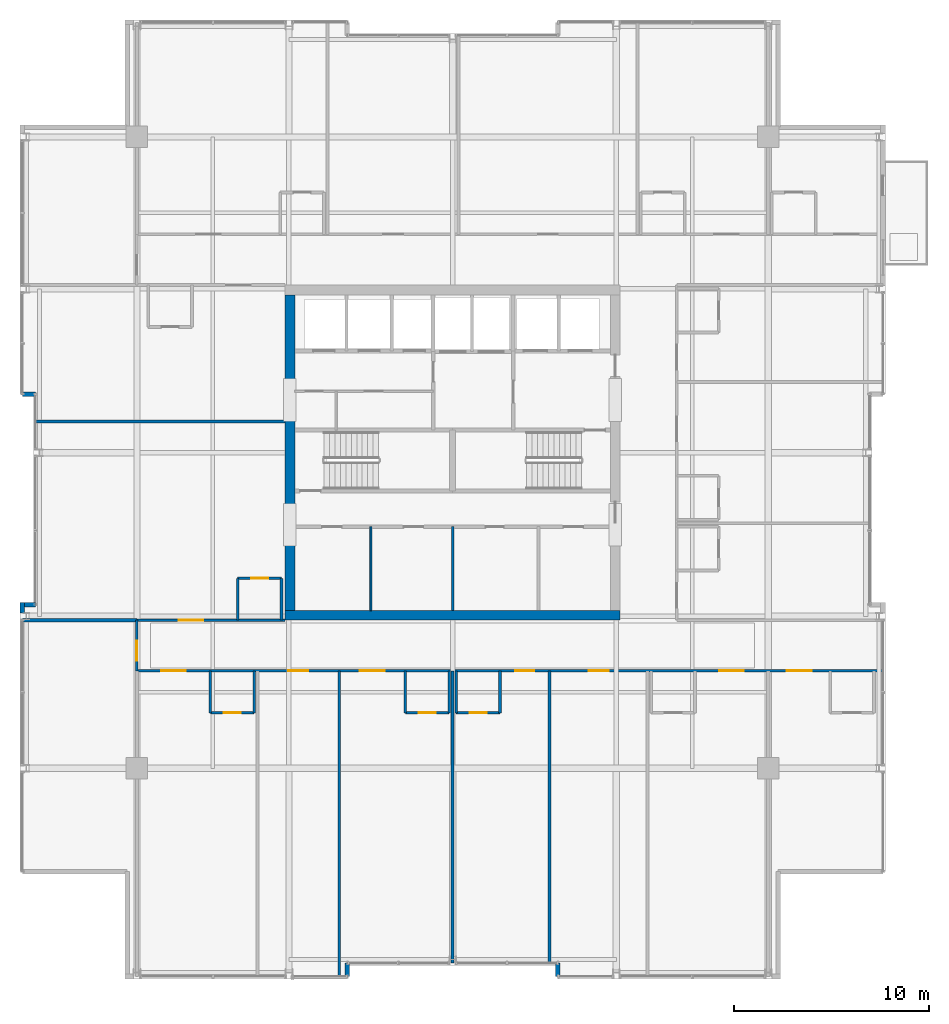
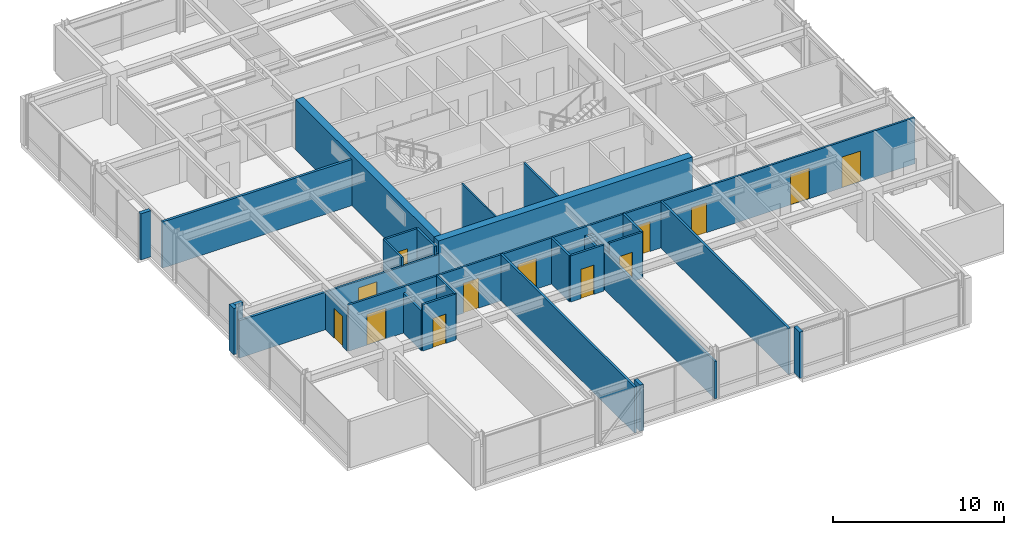
# One storey, part 28 of 34: 29 walls, 13 doors, 13 openings.
"""IFC4 building model written with IfcOpenShell, lengths in metres."""

from ifc_helpers import new_model, si_unit, direction, frame, frame_2d, origin, place, context, subcontext, project, spatial, rectangle, extrude, material, layer, layer_set, type_object, element, fill, save


model = new_model("IFC4")

# Units and contexts
model_context = context("Model", 3, precision=1e-05, world=origin(), true_north=direction((0.0, 1.0)))
body_context = subcontext(model_context, "Body", "Model", "MODEL_VIEW")
ifc_project = project(units=[si_unit("LENGTHUNIT", "METRE"), si_unit("AREAUNIT", "SQUARE_METRE"), si_unit("VOLUMEUNIT", "CUBIC_METRE"), si_unit("PLANEANGLEUNIT", "RADIAN"), si_unit("MASSUNIT", "GRAM", prefix="KILO")], contexts=[model_context])

# Site, building, storey
site_placement = place(None, origin())
site = spatial("IfcSite", under=ifc_project, at=site_placement, CompositionType="ELEMENT")
building_placement = place(site_placement, origin())
building = spatial("IfcBuilding", under=site, at=building_placement, Name="Drelvath Grand Hotel", CompositionType="ELEMENT")
storey_placement = place(building_placement, frame((0.0, 0.0, 251.89990234375)))
storey = spatial("IfcBuildingStorey", under=building, at=storey_placement, Name="L66", CompositionType="ELEMENT", Elevation=251.89990234375)

# Wall
ifc_material_1 = material(Name="Gypsum Partition Board")
ifc_layer_1 = layer(ifc_material_1, 0.10009765625)
ifc_layer_set_1 = layer_set([ifc_layer_1], Name="Gypsum Partition Board")
wall_type_1 = type_object("IfcWallType", Name="Core Closet Partition 100", PredefinedType="PARTITIONING", material=ifc_layer_set_1)
wall_1_placement = place(storey_placement, frame((-4.199951171875, 18.89990234375, 0.0), z_axis=(0.0, 0.0, 1.0), x_axis=(0.0, 1.0, 0.0)))
element("IfcWall", 1, at=wall_1_placement, inside=storey, type_object=wall_type_1, Name="L66 Upper Core Split 2A", PredefinedType="PARTITIONING", context=body_context, shape_type="SweptSolid", body=[
    extrude(rectangle(XDim=4.300048828125, YDim=0.10009765625, at=frame_2d((2.14990234375, 0.0))), origin(), (0.0, 0.0, 1.0), 3.300048828125),
])

# Wall, openings, doors
ifc_material_2 = material(Name="Gypsum Fireboard Partition")
ifc_layer_2 = layer(ifc_material_2, 0.135009765625)
ifc_layer_set_2 = layer_set([ifc_layer_2], Name="Gypsum Fireboard Partition")
wall_type_2 = type_object("IfcWallType", Name="Corridor Fire Barrier Wall 135", PredefinedType="PARTITIONING", material=ifc_layer_set_2)
wall_2_placement = place(storey_placement, frame((-16.199951171875, 15.800048828125, 0.0), z_axis=(0.0, 0.0, 1.0), x_axis=(1.0, 0.0, 0.0)))
wall_2 = element("IfcWall", 2, at=wall_2_placement, inside=storey, type_object=wall_type_2, Name="L66 South Cross-Gallery Wall", PredefinedType="PARTITIONING", context=body_context, shape_type="SweptSolid", body=[
    extrude(rectangle(XDim=38.280029296875, YDim=0.135009765625, at=frame_2d((19.14013671875, 0.0))), origin(), (0.0, 0.0, 1.0), 3.300048828125),
])
opening_1_placement = place(wall_2_placement, frame((33.35498046875, 0.0, 0.0)))
opening_1 = element("IfcOpeningElement", 3, at=opening_1_placement, cuts=wall_2, Name="Opening D-T4G5-023", PredefinedType="OPENING", context=body_context, shape_type="SweptSolid", body=[
    extrude(rectangle(XDim=1.260009765625, YDim=2.199951171875, at=frame_2d((0.6298828125, 1.10009765625))), frame((0.0, 0.077392578125, 0.0), z_axis=(0.0, -1.0, 0.0), x_axis=(1.0, 0.0, 0.0)), (0.0, 0.0, 1.0), 0.155029296875),
])
opening_2_placement = place(wall_2_placement, frame((1.252197265625, 0.0, 0.0)))
opening_2 = element("IfcOpeningElement", 4, at=opening_2_placement, cuts=wall_2, Name="Opening D-T4G5-027", PredefinedType="OPENING", context=body_context, shape_type="SweptSolid", body=[
    extrude(rectangle(XDim=1.260009765625, YDim=2.199951171875, at=frame_2d((0.6298828125, 1.10009765625))), frame((0.0, 0.077392578125, 0.0), z_axis=(0.0, -1.0, 0.0), x_axis=(1.0, 0.0, 0.0)), (0.0, 0.0, 1.0), 0.155029296875),
])
opening_3_placement = place(wall_2_placement, frame((7.777099609375, 0.0, 0.0)))
opening_3 = element("IfcOpeningElement", 5, at=opening_3_placement, cuts=wall_2, Name="Opening D-T4G5-028", PredefinedType="OPENING", context=body_context, shape_type="SweptSolid", body=[
    extrude(rectangle(XDim=1.02001953125, YDim=2.14990234375, at=frame_2d((0.510009765625, 1.074951171875))), frame((0.0, 0.077392578125, 0.0), z_axis=(0.0, -1.0, 0.0), x_axis=(1.0, 0.0, 0.0)), (0.0, 0.0, 1.0), 0.155029296875),
])
opening_4_placement = place(wall_2_placement, frame((11.445068359375, 0.0, 0.0)))
opening_4 = element("IfcOpeningElement", 6, at=opening_4_placement, cuts=wall_2, Name="Opening D-T4G5-030", PredefinedType="OPENING", context=body_context, shape_type="SweptSolid", body=[
    extrude(rectangle(XDim=1.260009765625, YDim=2.199951171875, at=frame_2d((0.6298828125, 1.10009765625))), frame((0.0, 0.077392578125, 0.0), z_axis=(0.0, -1.0, 0.0), x_axis=(1.0, 0.0, 0.0)), (0.0, 0.0, 1.0), 0.155029296875),
])
opening_5_placement = place(wall_2_placement, frame((19.425048828125, 0.0, 0.0)))
opening_5 = element("IfcOpeningElement", 7, at=opening_5_placement, cuts=wall_2, Name="Opening D-T4G5-032", PredefinedType="OPENING", context=body_context, shape_type="SweptSolid", body=[
    extrude(rectangle(XDim=0.9599609375, YDim=2.14990234375, at=frame_2d((0.47998046875, 1.074951171875))), frame((0.0, 0.077392578125, 0.0), z_axis=(0.0, -1.0, 0.0), x_axis=(1.0, 0.0, 0.0)), (0.0, 0.0, 1.0), 0.155029296875),
])
opening_6_placement = place(wall_2_placement, frame((23.18310546875, 0.0, 0.0)))
opening_6 = element("IfcOpeningElement", 8, at=opening_6_placement, cuts=wall_2, Name="Opening D-T4G5-033", PredefinedType="OPENING", context=body_context, shape_type="SweptSolid", body=[
    extrude(rectangle(XDim=1.02001953125, YDim=2.14990234375, at=frame_2d((0.510009765625, 1.074951171875))), frame((0.0, 0.077392578125, 0.0), z_axis=(0.0, -1.0, 0.0), x_axis=(1.0, 0.0, 0.0)), (0.0, 0.0, 1.0), 0.155029296875),
])
opening_7_placement = place(wall_2_placement, frame((29.887939453125, 0.0, 0.0)))
opening_7 = element("IfcOpeningElement", 9, at=opening_7_placement, cuts=wall_2, Name="Opening D-T4G5-035", PredefinedType="OPENING", context=body_context, shape_type="SweptSolid", body=[
    extrude(rectangle(XDim=1.260009765625, YDim=2.199951171875, at=frame_2d((0.6298828125, 1.10009765625))), frame((0.0, 0.077392578125, 0.0), z_axis=(0.0, -1.0, 0.0), x_axis=(1.0, 0.0, 0.0)), (0.0, 0.0, 1.0), 0.155029296875),
])
ifc_material_3 = material(Name="Hardwood Walnut Timber", Category="wood")
door_type_1 = type_object("IfcDoorType", Name="Amenity Meeting Fire Door 1020x2150", OperationType="NOTDEFINED", PredefinedType="DOOR", material=ifc_material_3)
door_1_placement = place(opening_3_placement, origin())
door_1 = element("IfcDoor", 10, at=door_1_placement, inside=storey, type_object=door_type_1, Name="L66 Ambassador Club Lounge Entry Door", OperationType="SINGLE_SWING_LEFT", OverallHeight=2.14990234375, OverallWidth=1.02001953125, PredefinedType="DOOR", context=body_context, shape_type="SweptSolid", body=[
    extrude(rectangle(XDim=1.02001953125, YDim=2.14990234375, at=frame_2d((0.510009765625, 1.074951171875))), frame((0.0, 0.02490234375, 0.0), z_axis=(0.0, -1.0, 0.0), x_axis=(1.0, 0.0, 0.0)), (0.0, 0.0, 1.0), 0.050048828125),
])
fill(opening_3, door_1)
door_2_placement = place(opening_6_placement, origin())
door_2 = element("IfcDoor", 11, at=door_2_placement, inside=storey, type_object=door_type_1, Name="L66 Private Security Office Entry Door", OperationType="SINGLE_SWING_RIGHT", OverallHeight=2.14990234375, OverallWidth=1.02001953125, PredefinedType="DOOR", context=body_context, shape_type="SweptSolid", body=[
    extrude(rectangle(XDim=1.02001953125, YDim=2.14990234375, at=frame_2d((0.510009765625, 1.074951171875))), frame((0.0, 0.02490234375, 0.0), z_axis=(0.0, -1.0, 0.0), x_axis=(1.0, 0.0, 0.0)), (0.0, 0.0, 1.0), 0.050048828125),
])
fill(opening_6, door_2)
door_type_2 = type_object("IfcDoorType", Name="Guestroom Entrance Fire Door 960x2150", OperationType="NOTDEFINED", PredefinedType="DOOR", material=ifc_material_3)
door_3_placement = place(opening_5_placement, origin())
door_3 = element("IfcDoor", 12, at=door_3_placement, inside=storey, type_object=door_type_2, Name="L66 Deluxe Guest Room Entry Door", OperationType="SINGLE_SWING_LEFT", OverallHeight=2.14990234375, OverallWidth=0.9599609375, PredefinedType="DOOR", context=body_context, shape_type="SweptSolid", body=[
    extrude(rectangle(XDim=0.9599609375, YDim=2.14990234375, at=frame_2d((0.47998046875, 1.074951171875))), frame((0.0, 0.02490234375, 0.0), z_axis=(0.0, -1.0, 0.0), x_axis=(1.0, 0.0, 0.0)), (0.0, 0.0, 1.0), 0.050048828125),
])
fill(opening_5, door_3)
door_type_3 = type_object("IfcDoorType", Name="Suite Entrance Fire Door 1260x2200", OperationType="NOTDEFINED", PredefinedType="DOOR", material=ifc_material_3)
door_4_placement = place(opening_1_placement, origin())
door_4 = element("IfcDoor", 13, at=door_4_placement, inside=storey, type_object=door_type_3, Name="L66 Diplomatic Suite Entry Door", OperationType="SINGLE_SWING_RIGHT", OverallHeight=2.199951171875, OverallWidth=1.260009765625, PredefinedType="DOOR", context=body_context, shape_type="SweptSolid", body=[
    extrude(rectangle(XDim=1.260009765625, YDim=2.199951171875, at=frame_2d((0.6298828125, 1.10009765625))), frame((0.0, 0.02490234375, 0.0), z_axis=(0.0, -1.0, 0.0), x_axis=(1.0, 0.0, 0.0)), (0.0, 0.0, 1.0), 0.050048828125),
])
fill(opening_1, door_4)
door_5_placement = place(opening_2_placement, origin())
door_5 = element("IfcDoor", 14, at=door_5_placement, inside=storey, type_object=door_type_3, Name="L66 Diplomatic Suite Entry Door", OperationType="SINGLE_SWING_RIGHT", OverallHeight=2.199951171875, OverallWidth=1.260009765625, PredefinedType="DOOR", context=body_context, shape_type="SweptSolid", body=[
    extrude(rectangle(XDim=1.260009765625, YDim=2.199951171875, at=frame_2d((0.6298828125, 1.10009765625))), frame((0.0, 0.02490234375, 0.0), z_axis=(0.0, -1.0, 0.0), x_axis=(1.0, 0.0, 0.0)), (0.0, 0.0, 1.0), 0.050048828125),
])
fill(opening_2, door_5)
door_6_placement = place(opening_4_placement, origin())
door_6 = element("IfcDoor", 15, at=door_6_placement, inside=storey, type_object=door_type_3, Name="L66 Diplomatic Suite Entry Door", OperationType="SINGLE_SWING_LEFT", OverallHeight=2.199951171875, OverallWidth=1.260009765625, PredefinedType="DOOR", context=body_context, shape_type="SweptSolid", body=[
    extrude(rectangle(XDim=1.260009765625, YDim=2.199951171875, at=frame_2d((0.6298828125, 1.10009765625))), frame((0.0, 0.02490234375, 0.0), z_axis=(0.0, -1.0, 0.0), x_axis=(1.0, 0.0, 0.0)), (0.0, 0.0, 1.0), 0.050048828125),
])
fill(opening_4, door_6)
door_7_placement = place(opening_7_placement, origin())
door_7 = element("IfcDoor", 16, at=door_7_placement, inside=storey, type_object=door_type_3, Name="L66 Diplomatic Suite Entry Door", OperationType="SINGLE_SWING_RIGHT", OverallHeight=2.199951171875, OverallWidth=1.260009765625, PredefinedType="DOOR", context=body_context, shape_type="SweptSolid", body=[
    extrude(rectangle(XDim=1.260009765625, YDim=2.199951171875, at=frame_2d((0.6298828125, 1.10009765625))), frame((0.0, 0.02490234375, 0.0), z_axis=(0.0, -1.0, 0.0), x_axis=(1.0, 0.0, 0.0)), (0.0, 0.0, 1.0), 0.050048828125),
])
fill(opening_7, door_7)

# Wall, opening, door
wall_3_placement = place(storey_placement, frame((-16.199951171875, 18.39990234375, 0.0), z_axis=(0.0, 0.0, 1.0), x_axis=(1.0, 0.0, 0.0)))
wall_3 = element("IfcWall", 17, at=wall_3_placement, inside=storey, type_object=wall_type_2, Name="L66 South Gallery Inner West Wall", PredefinedType="PARTITIONING", context=body_context, shape_type="SweptSolid", body=[
    extrude(rectangle(XDim=7.599853515625, YDim=0.135009765625, at=frame_2d((3.7998046875, 0.0))), origin(), (0.0, 0.0, 1.0), 2.677490234375),
])
opening_8_placement = place(wall_3_placement, frame((2.155029296875, 0.0, 0.0)))
opening_8 = element("IfcOpeningElement", 18, at=opening_8_placement, cuts=wall_3, Name="Opening D-T4G5-049", PredefinedType="OPENING", context=body_context, shape_type="SweptSolid", body=[
    extrude(rectangle(XDim=1.260009765625, YDim=2.199951171875, at=frame_2d((0.6298828125, 1.10009765625))), frame((0.0, 0.077392578125, 0.0), z_axis=(0.0, -1.0, 0.0), x_axis=(1.0, 0.0, 0.0)), (0.0, 0.0, 1.0), 0.155029296875),
])
door_8_placement = place(opening_8_placement, origin())
door_8 = element("IfcDoor", 19, at=door_8_placement, inside=storey, type_object=door_type_3, Name="L66 Diplomatic Suite Entry Door", OperationType="SINGLE_SWING_RIGHT", OverallHeight=2.199951171875, OverallWidth=1.260009765625, PredefinedType="DOOR", context=body_context, shape_type="SweptSolid", body=[
    extrude(rectangle(XDim=1.260009765625, YDim=2.199951171875, at=frame_2d((0.6298828125, 1.10009765625))), frame((0.0, 0.02490234375, 0.0), z_axis=(0.0, -1.0, 0.0), x_axis=(1.0, 0.0, 0.0)), (0.0, 0.0, 1.0), 0.050048828125),
])
fill(opening_8, door_8)

wall_4_placement = place(storey_placement, frame((-16.199951171875, 15.800048828125, 0.0), z_axis=(0.0, 0.0, 1.0), x_axis=(0.0, 1.0, 0.0)))
wall_4 = element("IfcWall", 20, at=wall_4_placement, inside=storey, type_object=wall_type_2, Name="L66 South Gallery West End", PredefinedType="PARTITIONING", context=body_context, shape_type="SweptSolid", body=[
    extrude(rectangle(XDim=2.599853515625, YDim=0.135009765625, at=frame_2d((1.2998046875, 0.0))), origin(), (0.0, 0.0, 1.0), 2.673828125),
])
opening_9_placement = place(wall_4_placement, frame((0.52001953125, 0.0, 0.0)))
opening_9 = element("IfcOpeningElement", 21, at=opening_9_placement, cuts=wall_4, Name="Opening D-T4G5-020", PredefinedType="OPENING", context=body_context, shape_type="SweptSolid", body=[
    extrude(rectangle(XDim=1.02001953125, YDim=2.14990234375, at=frame_2d((0.510009765625, 1.074951171875))), frame((0.0, 0.077392578125, 0.0), z_axis=(0.0, -1.0, 0.0), x_axis=(1.0, 0.0, 0.0)), (0.0, 0.0, 1.0), 0.155029296875),
])
door_9_placement = place(opening_9_placement, origin())
door_9 = element("IfcDoor", 22, at=door_9_placement, inside=storey, type_object=door_type_1, Name="L66 Corner Panorama Lounge Door", OperationType="SINGLE_SWING_LEFT", OverallHeight=2.14990234375, OverallWidth=1.02001953125, PredefinedType="DOOR", context=body_context, shape_type="SweptSolid", body=[
    extrude(rectangle(XDim=1.02001953125, YDim=2.14990234375, at=frame_2d((0.510009765625, 1.074951171875))), frame((0.0, 0.02490234375, 0.0), z_axis=(0.0, -1.0, 0.0), x_axis=(1.0, 0.0, 0.0)), (0.0, 0.0, 1.0), 0.050048828125),
])
fill(opening_9, door_9)

# Walls
ifc_material_4 = material(Name="Moisture-Resistant Gypsum Board")
ifc_layer_3 = layer(ifc_material_4, 0.139892578125)
ifc_layer_set_3 = layer_set([ifc_layer_3], Name="Moisture-Resistant Gypsum Board")
wall_type_3 = type_object("IfcWallType", Name="En-Suite Plumbing Wall 140", PredefinedType="PLUMBINGWALL", material=ifc_layer_set_3)
wall_5_placement = place(storey_placement, frame((0.0, 18.89990234375, 0.0), z_axis=(0.0, 0.0, 1.0), x_axis=(0.0, 1.0, 0.0)))
element("IfcWall", 23, at=wall_5_placement, inside=storey, type_object=wall_type_3, Name="L66 Upper Core Split 2B", PredefinedType="PLUMBINGWALL", context=body_context, shape_type="SweptSolid", body=[
    extrude(rectangle(XDim=4.300048828125, YDim=0.139892578125, at=frame_2d((2.14990234375, 0.0))), origin(), (0.0, 0.0, 1.0), 3.300048828125),
])
wall_6_placement = place(storey_placement, frame((-12.435791015625, 15.800048828125, 0.0), z_axis=(0.0, 0.0, 1.0), x_axis=(0.0, -1.0, 0.0)))
element("IfcWall", 24, at=wall_6_placement, inside=storey, type_object=wall_type_3, Name="L66 En-Suite Left Wall", PredefinedType="PLUMBINGWALL", context=body_context, shape_type="SweptSolid", body=[
    extrude(rectangle(XDim=2.150146484375, YDim=0.139892578125, at=frame_2d((1.0751953125, 0.0))), origin(), (0.0, 0.0, 1.0), 2.87841796875),
])
wall_7_placement = place(storey_placement, frame((-10.185791015625, 15.800048828125, 0.0), z_axis=(0.0, 0.0, 1.0), x_axis=(0.0, -1.0, 0.0)))
element("IfcWall", 25, at=wall_7_placement, inside=storey, type_object=wall_type_3, Name="L66 En-Suite Right Wall", PredefinedType="PLUMBINGWALL", context=body_context, shape_type="SweptSolid", body=[
    extrude(rectangle(XDim=2.150146484375, YDim=0.139892578125, at=frame_2d((1.0751953125, 0.0))), origin(), (0.0, 0.0, 1.0), 3.300048828125),
])

# Wall, opening, door
wall_8_placement = place(storey_placement, frame((-12.435791015625, 13.64990234375, 0.0), z_axis=(0.0, 0.0, 1.0), x_axis=(1.0, 0.0, 0.0)))
wall_8 = element("IfcWall", 26, at=wall_8_placement, inside=storey, type_object=wall_type_3, Name="L66 En-Suite Front Wall", PredefinedType="PLUMBINGWALL", context=body_context, shape_type="SweptSolid", body=[
    extrude(rectangle(XDim=2.25, YDim=0.139892578125, at=frame_2d((1.125, 0.0))), origin(), (0.0, 0.0, 1.0), 3.300048828125),
])
opening_10_placement = place(wall_8_placement, frame((0.68505859375, 0.0, 0.0)))
opening_10 = element("IfcOpeningElement", 27, at=opening_10_placement, cuts=wall_8, Name="Opening D-T4G5-026", PredefinedType="OPENING", context=body_context, shape_type="SweptSolid", body=[
    extrude(rectangle(XDim=0.8798828125, YDim=2.10009765625, at=frame_2d((0.43994140625, 1.050048828125))), frame((0.0, 0.079833984375, 0.0), z_axis=(0.0, -1.0, 0.0), x_axis=(1.0, 0.0, 0.0)), (0.0, 0.0, 1.0), 0.159912109375),
])
door_type_4 = type_object("IfcDoorType", Name="En-Suite Bathroom Door 880x2100", OperationType="NOTDEFINED", PredefinedType="DOOR", material=ifc_material_3)
door_10_placement = place(opening_10_placement, origin())
door_10 = element("IfcDoor", 28, at=door_10_placement, inside=storey, type_object=door_type_4, Name="L66 En-Suite Bathroom Door", OperationType="SINGLE_SWING_LEFT", OverallHeight=2.10009765625, OverallWidth=0.8798828125, PredefinedType="DOOR", context=body_context, shape_type="SweptSolid", body=[
    extrude(rectangle(XDim=0.8798828125, YDim=2.10009765625, at=frame_2d((0.43994140625, 1.050048828125))), frame((0.0, 0.02490234375, 0.0), z_axis=(0.0, -1.0, 0.0), x_axis=(1.0, 0.0, 0.0)), (0.0, 0.0, 1.0), 0.050048828125),
])
fill(opening_10, door_10)

# Walls
wall_9_placement = place(storey_placement, frame((-2.429931640625, 15.800048828125, 0.0), z_axis=(0.0, 0.0, 1.0), x_axis=(0.0, -1.0, 0.0)))
element("IfcWall", 29, at=wall_9_placement, inside=storey, type_object=wall_type_3, Name="L66 En-Suite Left Wall", PredefinedType="PLUMBINGWALL", context=body_context, shape_type="SweptSolid", body=[
    extrude(rectangle(XDim=2.150146484375, YDim=0.139892578125, at=frame_2d((1.0751953125, 0.0))), origin(), (0.0, 0.0, 1.0), 3.300048828125),
])
wall_10_placement = place(storey_placement, frame((-0.179931640625, 15.800048828125, 0.0), z_axis=(0.0, 0.0, 1.0), x_axis=(0.0, -1.0, 0.0)))
element("IfcWall", 30, at=wall_10_placement, inside=storey, type_object=wall_type_3, Name="L66 En-Suite Right Wall", PredefinedType="PLUMBINGWALL", context=body_context, shape_type="SweptSolid", body=[
    extrude(rectangle(XDim=2.150146484375, YDim=0.139892578125, at=frame_2d((1.0751953125, 0.0))), origin(), (0.0, 0.0, 1.0), 2.677490234375),
])

# Wall, opening, door
wall_11_placement = place(storey_placement, frame((-2.429931640625, 13.64990234375, 0.0), z_axis=(0.0, 0.0, 1.0), x_axis=(1.0, 0.0, 0.0)))
wall_11 = element("IfcWall", 31, at=wall_11_placement, inside=storey, type_object=wall_type_3, Name="L66 En-Suite Front Wall", PredefinedType="PLUMBINGWALL", context=body_context, shape_type="SweptSolid", body=[
    extrude(rectangle(XDim=2.25, YDim=0.139892578125, at=frame_2d((1.125, 0.0))), origin(), (0.0, 0.0, 1.0), 3.300048828125),
])
opening_11_placement = place(wall_11_placement, frame((0.68505859375, 0.0, 0.0)))
opening_11 = element("IfcOpeningElement", 32, at=opening_11_placement, cuts=wall_11, Name="Opening D-T4G5-029", PredefinedType="OPENING", context=body_context, shape_type="SweptSolid", body=[
    extrude(rectangle(XDim=0.8798828125, YDim=2.10009765625, at=frame_2d((0.43994140625, 1.050048828125))), frame((0.0, 0.079833984375, 0.0), z_axis=(0.0, -1.0, 0.0), x_axis=(1.0, 0.0, 0.0)), (0.0, 0.0, 1.0), 0.159912109375),
])
door_11_placement = place(opening_11_placement, origin())
door_11 = element("IfcDoor", 33, at=door_11_placement, inside=storey, type_object=door_type_4, Name="L66 En-Suite Bathroom Door", OperationType="SINGLE_SWING_RIGHT", OverallHeight=2.10009765625, OverallWidth=0.8798828125, PredefinedType="DOOR", context=body_context, shape_type="SweptSolid", body=[
    extrude(rectangle(XDim=0.8798828125, YDim=2.10009765625, at=frame_2d((0.43994140625, 1.050048828125))), frame((0.0, 0.02490234375, 0.0), z_axis=(0.0, -1.0, 0.0), x_axis=(1.0, 0.0, 0.0)), (0.0, 0.0, 1.0), 0.050048828125),
])
fill(opening_11, door_11)

# Walls
wall_12_placement = place(storey_placement, frame((0.179931640625, 15.800048828125, 0.0), z_axis=(0.0, 0.0, 1.0), x_axis=(0.0, -1.0, 0.0)))
element("IfcWall", 34, at=wall_12_placement, inside=storey, type_object=wall_type_3, Name="L66 En-Suite Left Wall", PredefinedType="PLUMBINGWALL", context=body_context, shape_type="SweptSolid", body=[
    extrude(rectangle(XDim=2.150146484375, YDim=0.139892578125, at=frame_2d((1.0751953125, 0.0))), origin(), (0.0, 0.0, 1.0), 2.677490234375),
])
wall_13_placement = place(storey_placement, frame((2.429931640625, 15.800048828125, 0.0), z_axis=(0.0, 0.0, 1.0), x_axis=(0.0, -1.0, 0.0)))
element("IfcWall", 35, at=wall_13_placement, inside=storey, type_object=wall_type_3, Name="L66 En-Suite Right Wall", PredefinedType="PLUMBINGWALL", context=body_context, shape_type="SweptSolid", body=[
    extrude(rectangle(XDim=2.150146484375, YDim=0.139892578125, at=frame_2d((1.0751953125, 0.0))), origin(), (0.0, 0.0, 1.0), 3.300048828125),
])

# Wall, opening, door
wall_14_placement = place(storey_placement, frame((0.179931640625, 13.64990234375, 0.0), z_axis=(0.0, 0.0, 1.0), x_axis=(1.0, 0.0, 0.0)))
wall_14 = element("IfcWall", 36, at=wall_14_placement, inside=storey, type_object=wall_type_3, Name="L66 En-Suite Front Wall", PredefinedType="PLUMBINGWALL", context=body_context, shape_type="SweptSolid", body=[
    extrude(rectangle(XDim=2.25, YDim=0.139892578125, at=frame_2d((1.125, 0.0))), origin(), (0.0, 0.0, 1.0), 3.300048828125),
])
opening_12_placement = place(wall_14_placement, frame((0.68505859375, 0.0, 0.0)))
opening_12 = element("IfcOpeningElement", 37, at=opening_12_placement, cuts=wall_14, Name="Opening D-T4G5-031", PredefinedType="OPENING", context=body_context, shape_type="SweptSolid", body=[
    extrude(rectangle(XDim=0.8798828125, YDim=2.10009765625, at=frame_2d((0.43994140625, 1.050048828125))), frame((0.0, 0.079833984375, 0.0), z_axis=(0.0, -1.0, 0.0), x_axis=(1.0, 0.0, 0.0)), (0.0, 0.0, 1.0), 0.159912109375),
])
door_12_placement = place(opening_12_placement, origin())
door_12 = element("IfcDoor", 38, at=door_12_placement, inside=storey, type_object=door_type_4, Name="L66 En-Suite Bathroom Door", OperationType="SINGLE_SWING_RIGHT", OverallHeight=2.10009765625, OverallWidth=0.8798828125, PredefinedType="DOOR", context=body_context, shape_type="SweptSolid", body=[
    extrude(rectangle(XDim=0.8798828125, YDim=2.10009765625, at=frame_2d((0.43994140625, 1.050048828125))), frame((0.0, 0.02490234375, 0.0), z_axis=(0.0, -1.0, 0.0), x_axis=(1.0, 0.0, 0.0)), (0.0, 0.0, 1.0), 0.050048828125),
])
fill(opening_12, door_12)

# Walls
for number, where, z_axis, x_axis, name in (
    (39, (-11.030029296875, 18.39990234375, 0.0), (0.0, 0.0, 1.0), (0.0, 1.0, 0.0), "L66 En-Suite Left Wall"),
    (40, (-8.780029296875, 18.39990234375, 0.0), (0.0, 0.0, 1.0), (0.0, 1.0, 0.0), "L66 En-Suite Right Wall"),
):
    element("IfcWall", number, at=place(storey_placement, frame(where, z_axis=z_axis, x_axis=x_axis)), inside=storey, type_object=wall_type_3, Name=name, PredefinedType="PLUMBINGWALL", context=body_context, shape_type="SweptSolid", body=[
        extrude(rectangle(XDim=2.150146484375, YDim=0.139892578125, at=frame_2d((1.0751953125, 0.0))), origin(), (0.0, 0.0, 1.0), 3.300048828125),
    ])

# Wall, opening, door
wall_15_placement = place(storey_placement, frame((-11.030029296875, 20.550048828125, 0.0), z_axis=(0.0, 0.0, 1.0), x_axis=(1.0, 0.0, 0.0)))
wall_15 = element("IfcWall", 41, at=wall_15_placement, inside=storey, type_object=wall_type_3, Name="L66 En-Suite Front Wall", PredefinedType="PLUMBINGWALL", context=body_context, shape_type="SweptSolid", body=[
    extrude(rectangle(XDim=2.25, YDim=0.139892578125, at=frame_2d((1.125, 0.0))), origin(), (0.0, 0.0, 1.0), 3.300048828125),
])
opening_13_placement = place(wall_15_placement, frame((0.68505859375, 0.0, 0.0)))
opening_13 = element("IfcOpeningElement", 42, at=opening_13_placement, cuts=wall_15, Name="Opening D-T4G5-048", PredefinedType="OPENING", context=body_context, shape_type="SweptSolid", body=[
    extrude(rectangle(XDim=0.8798828125, YDim=2.10009765625, at=frame_2d((0.43994140625, 1.050048828125))), frame((0.0, 0.079833984375, 0.0), z_axis=(0.0, -1.0, 0.0), x_axis=(1.0, 0.0, 0.0)), (0.0, 0.0, 1.0), 0.159912109375),
])
door_13_placement = place(opening_13_placement, origin())
door_13 = element("IfcDoor", 43, at=door_13_placement, inside=storey, type_object=door_type_4, Name="L66 En-Suite Bathroom Door", OperationType="SINGLE_SWING_LEFT", OverallHeight=2.10009765625, OverallWidth=0.8798828125, PredefinedType="DOOR", context=body_context, shape_type="SweptSolid", body=[
    extrude(rectangle(XDim=0.8798828125, YDim=2.10009765625, at=frame_2d((0.43994140625, 1.050048828125))), frame((0.0, 0.02490234375, 0.0), z_axis=(0.0, -1.0, 0.0), x_axis=(1.0, 0.0, 0.0)), (0.0, 0.0, 1.0), 0.050048828125),
])
fill(opening_13, door_13)

# Walls
ifc_material_5 = material(Name="Gypsum Acoustic Partition")
ifc_layer_4 = layer(ifc_material_5, 0.14990234375)
ifc_layer_set_4 = layer_set([ifc_layer_4], Name="Gypsum Acoustic Partition")
wall_type_4 = type_object("IfcWallType", Name="Guestroom Demising Wall 150", PredefinedType="PARTITIONING", material=ifc_layer_set_4)
wall_16_placement = place(storey_placement, frame((-5.820068359375, 0.1201171875, 0.0), z_axis=(0.0, 0.0, 1.0), x_axis=(0.0, 1.0, 0.0)))
element("IfcWall", 44, at=wall_16_placement, inside=storey, type_object=wall_type_4, Name="L66 South Demising 2", PredefinedType="PARTITIONING", context=body_context, shape_type="SweptSolid", body=[
    extrude(rectangle(XDim=15.679931640625, YDim=0.14990234375, at=frame_2d((7.83984375, 0.0))), origin(), (0.0, 0.0, 1.0), 3.300048828125),
])
wall_17_placement = place(storey_placement, frame((0.0, 0.800048828125, 0.0), z_axis=(0.0, 0.0, 1.0), x_axis=(0.0, 1.0, 0.0)))
element("IfcWall", 45, at=wall_17_placement, inside=storey, type_object=wall_type_4, Name="L66 South Demising 3", PredefinedType="PARTITIONING", context=body_context, shape_type="SweptSolid", body=[
    extrude(rectangle(XDim=15.0, YDim=0.14990234375, at=frame_2d((7.5, 0.0))), origin(), (0.0, 0.0, 1.0), 2.673828125),
])
wall_18_placement = place(storey_placement, frame((4.97998046875, 0.800048828125, 0.0), z_axis=(0.0, 0.0, 1.0), x_axis=(0.0, 1.0, 0.0)))
element("IfcWall", 46, at=wall_18_placement, inside=storey, type_object=wall_type_4, Name="L66 South Demising 4", PredefinedType="PARTITIONING", context=body_context, shape_type="SweptSolid", body=[
    extrude(rectangle(XDim=15.0, YDim=0.14990234375, at=frame_2d((7.5, 0.0))), origin(), (0.0, 0.0, 1.0), 3.300048828125),
])
ifc_layer_5 = layer(ifc_material_5, 0.1650390625)
ifc_layer_set_5 = layer_set([ifc_layer_5], Name="Gypsum Acoustic Partition")
wall_type_5 = type_object("IfcWallType", Name="Suite Demising Wall 165", PredefinedType="PARTITIONING", material=ifc_layer_set_5)
wall_19_placement = place(storey_placement, frame((-22.080078125, 18.39990234375, 0.0), z_axis=(0.0, 0.0, 1.0), x_axis=(1.0, 0.0, 0.0)))
element("IfcWall", 47, at=wall_19_placement, inside=storey, type_object=wall_type_5, Name="L66 SW Corner North Wall", PredefinedType="PARTITIONING", context=body_context, shape_type="SweptSolid", body=[
    extrude(rectangle(XDim=5.880126953125, YDim=0.1650390625, at=frame_2d((2.93994140625, 0.0))), origin(), (0.0, 0.0, 1.0), 2.673828125),
])
wall_20_placement = place(storey_placement, frame((-21.39990234375, 28.60009765625, 0.0), z_axis=(0.0, 0.0, 1.0), x_axis=(1.0, 0.0, 0.0)))
element("IfcWall", 48, at=wall_20_placement, inside=storey, type_object=wall_type_5, Name="L66 West Grand Suite Split Wall", PredefinedType="PARTITIONING", context=body_context, shape_type="SweptSolid", body=[
    extrude(rectangle(XDim=12.7998046875, YDim=0.1650390625, at=frame_2d((6.39990234375, 0.0))), origin(), (0.0, 0.0, 1.0), 3.300048828125),
])
ifc_material_6 = material(Name="Pale-Metal Insulated Aluminium Spandrel Assembly", Category="aluminium")
ifc_layer_6 = layer(ifc_material_6, 0.239990234375)
ifc_layer_set_6 = layer_set([ifc_layer_6], Name="Pale-Metal Insulated Aluminium Spandrel Assembly")
wall_type_6 = type_object("IfcWallType", Name="Tower Insulated Metal Spandrel Closure Wall 240", PredefinedType="STANDARD", material=ifc_layer_set_6)
wall_21_placement = place(storey_placement, frame((-22.080078125, 18.7783203125, 0.0), z_axis=(0.0, 0.0, 1.0), x_axis=(0.0, 1.0, 0.0)))
element("IfcWall", 49, at=wall_21_placement, inside=storey, type_object=wall_type_6, Name="L66 Corner Pier Spandrel Wall WS3", PredefinedType="STANDARD", context=body_context, shape_type="SweptSolid", body=[
    extrude(rectangle(XDim=0.541748046875, YDim=0.239990234375, at=frame_2d((0.27099609375, 0.0))), origin(), (0.0, 0.0, 1.0), 3.300048828125),
])
wall_22_placement = place(storey_placement, frame((-21.9599609375, 19.199951171875, 0.0), z_axis=(0.0, 0.0, 1.0), x_axis=(1.0, 0.0, 0.0)))
element("IfcWall", 50, at=wall_22_placement, inside=storey, type_object=wall_type_6, Name="L66 Notched Corner Return Spandrel Wall RW1", PredefinedType="STANDARD", context=body_context, shape_type="SweptSolid", body=[
    extrude(rectangle(XDim=0.56005859375, YDim=0.239990234375, at=frame_2d((0.280029296875, 0.0))), origin(), (0.0, 0.0, 1.0), 3.300048828125),
])
wall_23_placement = place(storey_placement, frame((-21.39990234375, 30.0, 0.0), z_axis=(0.0, 0.0, 1.0), x_axis=(-1.0, 0.0, 0.0)))
element("IfcWall", 51, at=wall_23_placement, inside=storey, type_object=wall_type_6, Name="L66 Notched Corner Return Spandrel Wall RW2", PredefinedType="STANDARD", context=body_context, shape_type="SweptSolid", body=[
    extrude(rectangle(XDim=0.68017578125, YDim=0.239990234375, at=frame_2d((0.340087890625, 0.0))), origin(), (0.0, 0.0, 1.0), 3.300048828125),
])
for number, where, z_axis, x_axis, name in (
    (52, (5.39990234375, 0.1201171875, 0.0), (0.0, 0.0, 1.0), (0.0, 1.0, 0.0), "L66 Notched Corner Return Spandrel Wall RS1"),
    (53, (-5.39990234375, 0.800048828125, 0.0), (0.0, 0.0, 1.0), (0.0, -1.0, 0.0), "L66 Notched Corner Return Spandrel Wall RS2"),
):
    element("IfcWall", number, at=place(storey_placement, frame(where, z_axis=z_axis, x_axis=x_axis)), inside=storey, type_object=wall_type_6, Name=name, PredefinedType="STANDARD", context=body_context, shape_type="SweptSolid", body=[
        extrude(rectangle(XDim=0.679931640625, YDim=0.239990234375, at=frame_2d((0.33984375, 0.0))), origin(), (0.0, 0.0, 1.0), 3.300048828125),
    ])
ifc_material_7 = material(Name="Concrete f'c 55 MPa", Category="concrete")
ifc_layer_7 = layer(ifc_material_7, 0.5)
ifc_layer_set_7 = layer_set([ifc_layer_7], Name="Concrete f'c 55 MPa")
wall_type_7 = type_object("IfcWallType", Name="Upper Core RC Shear Wall 500", PredefinedType="SHEAR", material=ifc_layer_set_7)
wall_24_placement = place(storey_placement, frame((8.60009765625, 18.64990234375, 0.0), z_axis=(0.0, 0.0, 1.0), x_axis=(-1.0, 0.0, 0.0)))
element("IfcWall", 54, at=wall_24_placement, inside=storey, type_object=wall_type_7, Name="L66 Central Core Shear Wall S", PredefinedType="SHEAR", context=body_context, shape_type="SweptSolid", body=[
    extrude(rectangle(XDim=17.2001953125, YDim=0.5, at=frame_2d((8.60009765625, 0.0))), origin(), (0.0, 0.0, 1.0), 3.60009765625),
])
wall_25_placement = place(storey_placement, frame((-8.35009765625, 18.89990234375, 0.0), z_axis=(0.0, 0.0, 1.0), x_axis=(0.0, 1.0, 0.0)))
element("IfcWall", 55, at=wall_25_placement, inside=storey, type_object=wall_type_7, Name="L66 Central Core Shear Wall W", PredefinedType="SHEAR", context=body_context, shape_type="SweptSolid", body=[
    extrude(rectangle(XDim=16.2001953125, YDim=0.5, at=frame_2d((8.10009765625, 0.0))), origin(), (0.0, 0.0, 1.0), 3.60009765625),
])

save(model, "model.ifc")
